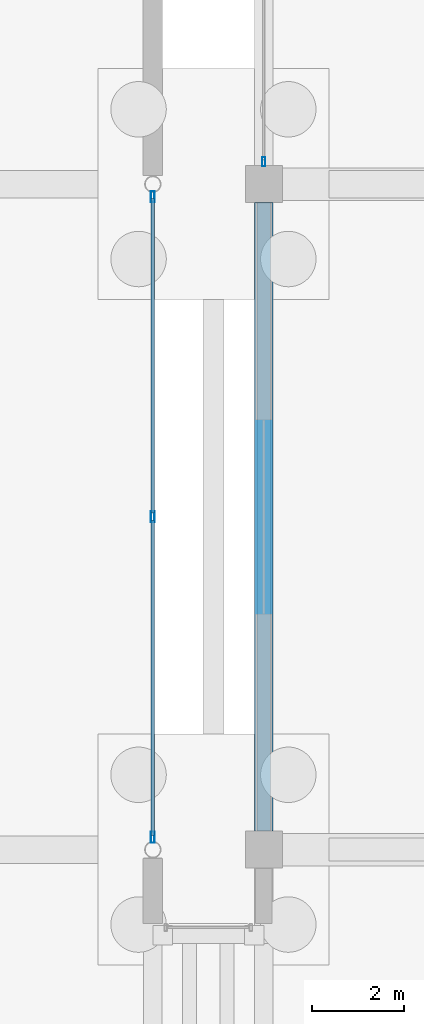
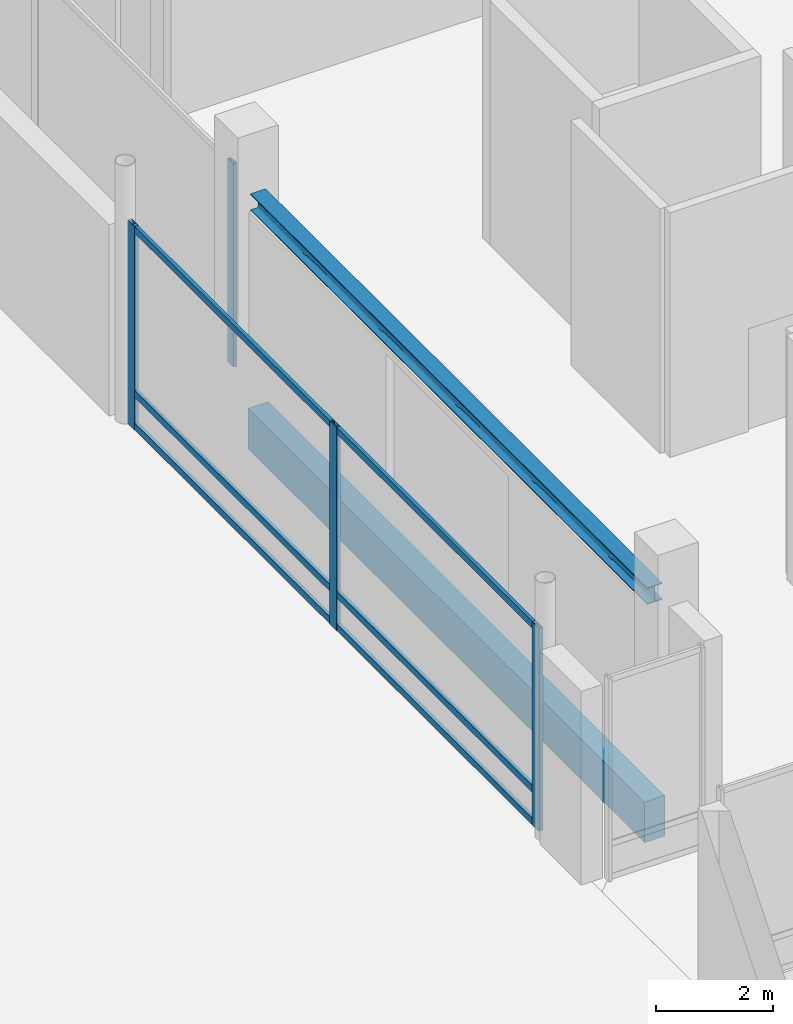
# One storey, part 68 of 192: 10 members, 2 beams, 2 elements without a shape of their own.
"""IFC4 building model written with IfcOpenShell, lengths in metres."""

from ifc_helpers import new_model, si_unit, direction, frame, origin, origin_2d, place, context, subcontext, project, spatial, rectangle, hollow_rectangle, i_section, extrude, material, material_profile, profile_set, type_object, element, aggregate, save


model = new_model("IFC4")

# Units and contexts
model_context = context("Model", 3, precision=1e-05, world=origin(), true_north=direction((0.0, 1.0)))
body_context = subcontext(model_context, "Body", "Model", "MODEL_VIEW")
ifc_project = project(units=[si_unit("LENGTHUNIT", "METRE"), si_unit("AREAUNIT", "SQUARE_METRE"), si_unit("VOLUMEUNIT", "CUBIC_METRE"), si_unit("PLANEANGLEUNIT", "RADIAN"), si_unit("MASSUNIT", "GRAM", prefix="KILO")], contexts=[model_context])

# Site, building, storey
site_placement = place(None, origin())
site = spatial("IfcSite", under=ifc_project, at=site_placement, CompositionType="ELEMENT")
building_placement = place(site_placement, origin())
building = spatial("IfcBuilding", under=site, at=building_placement, Name="Cendralis Lancet Convention Centre", CompositionType="ELEMENT")
storey_placement = place(building_placement, origin())
storey = spatial("IfcBuildingStorey", under=building, at=storey_placement, Name="L00", CompositionType="ELEMENT", Elevation=0.0)

# Curtain wall, member
ifc_material_1 = material(Name="Anodised bronze architectural aluminium", Category="aluminium")
curtain_wall_type_1 = type_object("IfcCurtainWallType", Name="ARC-CW-BL01", PredefinedType="USERDEFINED", material=ifc_material_1)
curtain_wall_1_placement = place(storey_placement, origin())
curtain_wall_1 = element("IfcCurtainWall", 1, at=curtain_wall_1_placement, inside=storey, type_object=curtain_wall_type_1, Name="L00 Curtain Wall CW-BL1 #146", ObjectType="CURTAIN WALL", PredefinedType="USERDEFINED")
ifc_material_profile_1 = material_profile(ifc_material_1, hollow_rectangle(XDim=0.070068359375, YDim=0.199951171875, WallThickness=0.0048828125, at=origin_2d()), Name="AL-MULL 70x200x5.0")
ifc_profile_set_1 = profile_set([ifc_material_profile_1], Name="Anodised bronze architectural aluminium")
member_type_1 = type_object("IfcMemberType", Name="ARC-CW-ML02", PredefinedType="MULLION", material=ifc_profile_set_1)
member_1_placement = place(storey_placement, frame((124.800048828125, 122.885009765625, 0.0), z_axis=(0.0, 0.0, 1.0), x_axis=(1.0, 0.0, 0.0)))
member_1 = element("IfcMember", 2, at=member_1_placement, type_object=member_type_1, Name="Mullion CW2-CW-BL1-L00-146-M0", PredefinedType="MULLION", context=body_context, shape_type="SweptSolid", body=[
    extrude(hollow_rectangle(XDim=0.070068359375, YDim=0.199951171875, WallThickness=0.0048828125, at=origin_2d()), origin(), (0.0, 0.0, 1.0), 4.2548828125),
])
aggregate(curtain_wall_1, [member_1])

# Curtain wall, members
curtain_wall_type_2 = type_object("IfcCurtainWallType", Name="ARC-CW-GB01", PredefinedType="USERDEFINED", material=ifc_material_1)
curtain_wall_2_placement = place(storey_placement, origin())
curtain_wall_2 = element("IfcCurtainWall", 3, at=curtain_wall_2_placement, inside=storey, type_object=curtain_wall_type_2, Name="L00 Curtain Wall CW-GB1 #096", ObjectType="CURTAIN WALL", PredefinedType="USERDEFINED")
ifc_material_profile_2 = material_profile(ifc_material_1, hollow_rectangle(XDim=0.080078125, YDim=0.239990234375, WallThickness=0.0048828125, at=origin_2d()), Name="AL-MULL 80x240x5.0")
ifc_profile_set_2 = profile_set([ifc_material_profile_2], Name="Anodised bronze architectural aluminium")
member_type_2 = type_object("IfcMemberType", Name="ARC-CW-ML03", PredefinedType="MULLION", material=ifc_profile_set_2)
member_2_placement = place(storey_placement, frame((122.39990234375, 122.132080078125, 0.0), z_axis=(0.0, 0.0, 1.0), x_axis=(1.0, 0.0, 0.0)))
member_2 = element("IfcMember", 4, at=member_2_placement, type_object=member_type_2, Name="Mullion CW2-CW-GB1-L00-096-M0", PredefinedType="MULLION", context=body_context, shape_type="SweptSolid", body=[
    extrude(hollow_rectangle(XDim=0.080078125, YDim=0.239990234375, WallThickness=0.0048828125, at=origin_2d()), origin(), (0.0, 0.0, 1.0), 4.2548828125),
])
member_3_placement = place(storey_placement, frame((122.39990234375, 115.199951171875, 0.0), z_axis=(0.0, 0.0, 1.0), x_axis=(1.0, 0.0, 0.0)))
member_3 = element("IfcMember", 5, at=member_3_placement, type_object=member_type_2, Name="Mullion CW2-CW-GB1-L00-096-M1", PredefinedType="MULLION", context=body_context, shape_type="SweptSolid", body=[
    extrude(hollow_rectangle(XDim=0.080078125, YDim=0.239990234375, WallThickness=0.0048828125, at=origin_2d()), origin(), (0.0, 0.0, 1.0), 4.2548828125),
])
member_4_placement = place(storey_placement, frame((122.39990234375, 108.267822265625, 0.0), z_axis=(0.0, 0.0, 1.0), x_axis=(1.0, 0.0, 0.0)))
member_4 = element("IfcMember", 6, at=member_4_placement, type_object=member_type_2, Name="Mullion CW2-CW-GB1-L00-096-M2", PredefinedType="MULLION", context=body_context, shape_type="SweptSolid", body=[
    extrude(hollow_rectangle(XDim=0.080078125, YDim=0.239990234375, WallThickness=0.0048828125, at=origin_2d()), origin(), (0.0, 0.0, 1.0), 4.2548828125),
])
ifc_material_profile_3 = material_profile(ifc_material_1, hollow_rectangle(XDim=0.070068359375, YDim=0.139892578125, WallThickness=0.00390625, at=origin_2d()), Name="AL-TRAN 70x140x4.0")
ifc_profile_set_3 = profile_set([ifc_material_profile_3], Name="Anodised bronze architectural aluminium")
member_type_3 = type_object("IfcMemberType", Name="ARC-CW-TR02", PredefinedType="USERDEFINED", material=ifc_profile_set_3)
member_5_placement = place(storey_placement, frame((122.39990234375, 122.09228515625, 0.070068359375), z_axis=(0.0, -1.0, 0.0), x_axis=(1.0, 0.0, 0.0)))
member_5 = element("IfcMember", 7, at=member_5_placement, type_object=member_type_3, Name="Transom CW2-CW-GB1-L00-096-T0BOT", ObjectType="TRANSOM", PredefinedType="USERDEFINED", context=body_context, shape_type="SweptSolid", body=[
    extrude(hollow_rectangle(XDim=0.070068359375, YDim=0.139892578125, WallThickness=0.00390625, at=origin_2d()), origin(), (0.0, 0.0, 1.0), 6.812255859375),
])
member_6_placement = place(storey_placement, frame((122.39990234375, 122.09228515625, 0.75), z_axis=(0.0, -1.0, 0.0), x_axis=(1.0, 0.0, 0.0)))
member_6 = element("IfcMember", 8, at=member_6_placement, type_object=member_type_3, Name="Transom CW2-CW-GB1-L00-096-T0MID", ObjectType="TRANSOM", PredefinedType="USERDEFINED", context=body_context, shape_type="SweptSolid", body=[
    extrude(hollow_rectangle(XDim=0.070068359375, YDim=0.139892578125, WallThickness=0.00390625, at=origin_2d()), origin(), (0.0, 0.0, 1.0), 6.812255859375),
])
member_7_placement = place(storey_placement, frame((122.39990234375, 122.09228515625, 4.18505859375), z_axis=(0.0, -1.0, 0.0), x_axis=(1.0, 0.0, 0.0)))
member_7 = element("IfcMember", 9, at=member_7_placement, type_object=member_type_3, Name="Transom CW2-CW-GB1-L00-096-T0TOP", ObjectType="TRANSOM", PredefinedType="USERDEFINED", context=body_context, shape_type="SweptSolid", body=[
    extrude(hollow_rectangle(XDim=0.070068359375, YDim=0.139892578125, WallThickness=0.00390625, at=origin_2d()), origin(), (0.0, 0.0, 1.0), 6.812255859375),
])
member_8_placement = place(storey_placement, frame((122.39990234375, 115.1201171875, 0.070068359375), z_axis=(0.0, -1.0, 0.0), x_axis=(1.0, 0.0, 0.0)))
member_8 = element("IfcMember", 10, at=member_8_placement, type_object=member_type_3, Name="Transom CW2-CW-GB1-L00-096-T1BOT", ObjectType="TRANSOM", PredefinedType="USERDEFINED", context=body_context, shape_type="SweptSolid", body=[
    extrude(hollow_rectangle(XDim=0.070068359375, YDim=0.139892578125, WallThickness=0.00390625, at=origin_2d()), origin(), (0.0, 0.0, 1.0), 6.812255859375),
])
member_9_placement = place(storey_placement, frame((122.39990234375, 115.1201171875, 0.75), z_axis=(0.0, -1.0, 0.0), x_axis=(1.0, 0.0, 0.0)))
member_9 = element("IfcMember", 11, at=member_9_placement, type_object=member_type_3, Name="Transom CW2-CW-GB1-L00-096-T1MID", ObjectType="TRANSOM", PredefinedType="USERDEFINED", context=body_context, shape_type="SweptSolid", body=[
    extrude(hollow_rectangle(XDim=0.070068359375, YDim=0.139892578125, WallThickness=0.00390625, at=origin_2d()), origin(), (0.0, 0.0, 1.0), 6.812255859375),
])
member_10_placement = place(storey_placement, frame((122.39990234375, 115.1201171875, 4.18505859375), z_axis=(0.0, -1.0, 0.0), x_axis=(1.0, 0.0, 0.0)))
member_10 = element("IfcMember", 12, at=member_10_placement, type_object=member_type_3, Name="Transom CW2-CW-GB1-L00-096-T1TOP", ObjectType="TRANSOM", PredefinedType="USERDEFINED", context=body_context, shape_type="SweptSolid", body=[
    extrude(hollow_rectangle(XDim=0.070068359375, YDim=0.139892578125, WallThickness=0.00390625, at=origin_2d()), origin(), (0.0, 0.0, 1.0), 6.812255859375),
])
aggregate(curtain_wall_2, [member_2, member_3, member_4, member_5, member_6, member_7, member_8, member_9, member_10])

# Beams
ifc_material_2 = material(Name="Steel S355", Category="steel")
ifc_material_profile_4 = material_profile(ifc_material_2, i_section(OverallWidth=0.300048828125, OverallDepth=0.35009765625, WebThickness=0.010009765625, FlangeThickness=0.017578125, FilletRadius=0.027099609375, at=origin_2d()), Name="HEA 360")
ifc_profile_set_4 = profile_set([ifc_material_profile_4], Name="Steel S355")
beam_type_1 = type_object("IfcBeamType", Name="STR-LN-LN03", PredefinedType="LINTEL", material=ifc_profile_set_4)
beam_1_placement = place(storey_placement, frame((124.800048828125, 108.39990234375, 3.97509765625), z_axis=(0.0, 1.0, 0.0), x_axis=(-1.0, 0.0, 0.0)))
element("IfcBeam", 13, at=beam_1_placement, inside=storey, type_object=beam_type_1, Name="L00 Beam LN03 #1304", PredefinedType="LINTEL", context=body_context, shape_type="SweptSolid", body=[
    extrude(i_section(OverallWidth=0.300048828125, OverallDepth=0.35009765625, WebThickness=0.010009765625, FlangeThickness=0.017578125, FilletRadius=0.027099609375, at=origin_2d()), origin(), (0.0, 0.0, 1.0), 13.60009765625),
])
ifc_material_3 = material(Name="Concrete G40 (C40/50)", Category="concrete")
ifc_material_profile_5 = material_profile(ifc_material_3, rectangle(XDim=0.39990234375, YDim=0.85009765625, at=origin_2d()), Name="RCB 400x850")
ifc_profile_set_5 = profile_set([ifc_material_profile_5], Name="Concrete G40 (C40/50)")
beam_type_2 = type_object("IfcBeamType", Name="STR-SP-SP02", PredefinedType="SPANDREL", material=ifc_profile_set_5)
beam_2_placement = place(storey_placement, frame((124.800048828125, 108.39990234375, -0.7451171875), z_axis=(0.0, 1.0, 0.0), x_axis=(-1.0, 0.0, 0.0)))
element("IfcBeam", 14, at=beam_2_placement, inside=storey, type_object=beam_type_2, Name="L00 Beam SP02 #1606", PredefinedType="SPANDREL", context=body_context, shape_type="SweptSolid", body=[
    extrude(rectangle(XDim=0.39990234375, YDim=0.85009765625, at=origin_2d()), origin(), (0.0, 0.0, 1.0), 13.60009765625),
])

save(model, "model.ifc")
